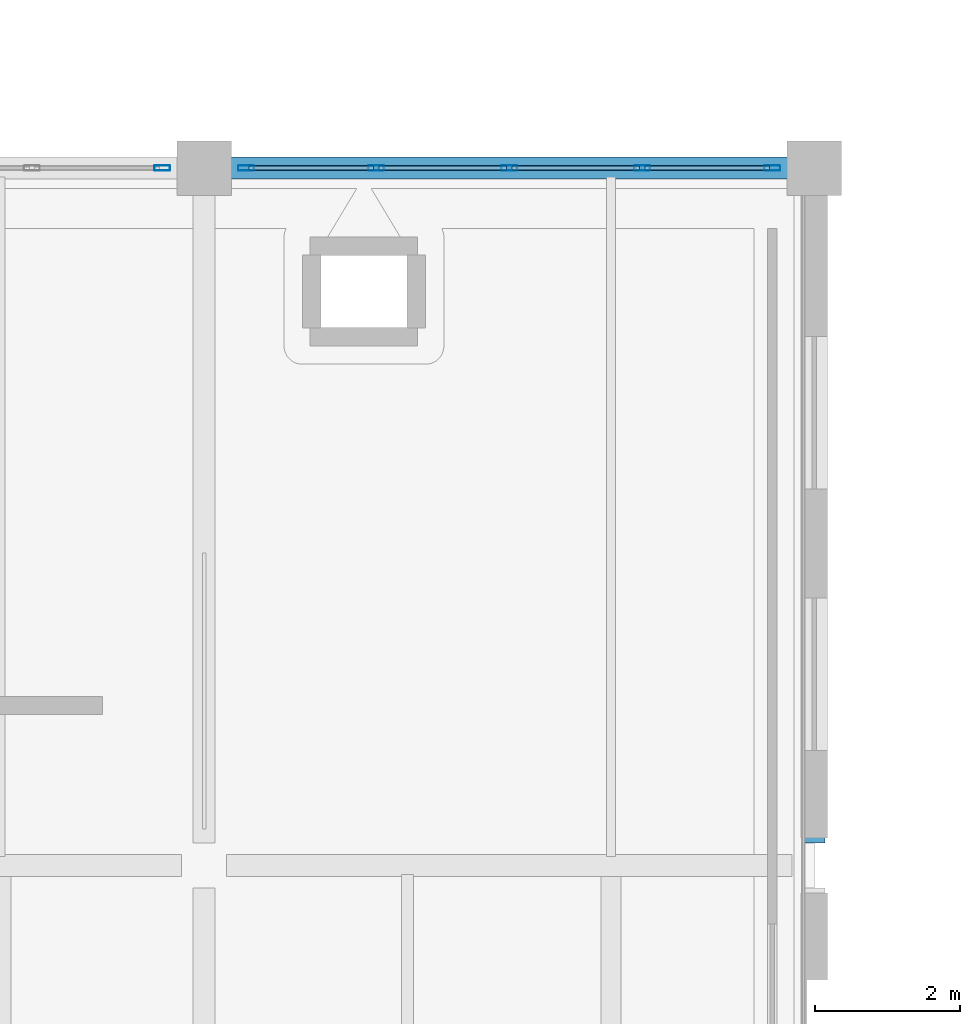
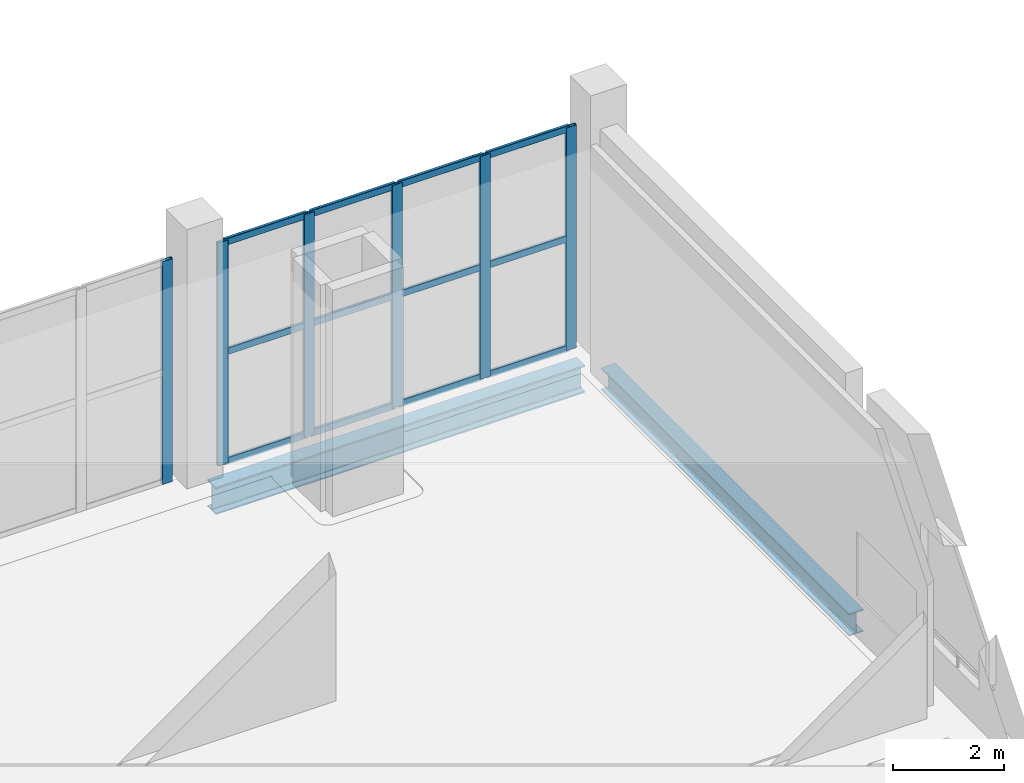
# One storey, part 18 of 49: 18 members, 2 beams, 2 elements without a shape of their own.
"""IFC4 building model written with IfcOpenShell, lengths in metres."""

import ifcopenshell
import ifcopenshell.guid

model = None  # the IFC model being written
_history = None  # IfcOwnerHistory: only IFC2X3 demands one
_inside = {}  # id of a spatial element -> (the spatial element, [elements in it])
_under = {}  # id of a project, library or spatial element -> (it, [spatial elements below it])
_declared = {}  # id of a project -> (the project, [libraries it declares])
_typed = {}  # id of a type object -> (the type object, [elements of that type])
_made_of = {}  # id of a material, layer set ... -> (it, [elements and type objects made of it])


def new_model(schema):
    """Start an empty IFC model of exactly this schema.

    Asked for "IFC4X3", IfcOpenShell would pick the latest addendum, in which some entities
    have other attributes; the version numbers below select the first issue.
    IFC2X3 requires an IfcOwnerHistory on every rooted entity: one is made here for all.
    """
    global model, _history
    if schema == "IFC4X3":
        model = ifcopenshell.file(schema_version=(4, 3, 0, 0))
    else:
        model = ifcopenshell.file(schema=schema)
    _inside.clear()
    _under.clear()
    _declared.clear()
    _typed.clear()
    _made_of.clear()
    _history = None
    if model.schema == "IFC2X3":
        org = make("IfcOrganization", Name="unknown")
        user = make(
            "IfcPersonAndOrganization",
            ThePerson=make("IfcPerson", FamilyName="unknown"),
            TheOrganization=org,
        )
        app = make(
            "IfcApplication",
            ApplicationDeveloper=org,
            Version="unknown",
            ApplicationFullName="unknown",
            ApplicationIdentifier="unknown",
        )
        _history = make(
            "IfcOwnerHistory",
            OwningUser=user,
            OwningApplication=app,
            ChangeAction="ADDED",
            CreationDate=0,
        )
    return model


def make(cls, **values):
    """One entity of the class cls with the attributes given. An attribute that is None is left unset."""
    return model.create_entity(
        cls, **{name: value for name, value in values.items() if value is not None}
    )


def rooted(cls, **values):
    """An entity with a GlobalId (a new one), such as an element, a storey or a relation."""
    return make(cls, GlobalId=ifcopenshell.guid.new(), OwnerHistory=_history, **values)


def si_unit(unit_type, name, prefix=None):
    """IfcSIUnit, for example si_unit("LENGTHUNIT", "METRE", prefix="MILLI")."""
    return make("IfcSIUnit", UnitType=unit_type, Prefix=prefix, Name=name)


def assignment(units):
    """IfcUnitAssignment: the units of a project."""
    return None if units is None else make("IfcUnitAssignment", Units=units)


def point(xyz):
    """IfcCartesianPoint."""
    return None if xyz is None else make("IfcCartesianPoint", Coordinates=xyz)


def direction(xyz):
    """IfcDirection."""
    return None if xyz is None else make("IfcDirection", DirectionRatios=xyz)


def frame(location, z_axis=None, x_axis=None):
    """IfcAxis2Placement3D, a coordinate frame: its origin and axes. An axis left out is left unset."""
    return make(
        "IfcAxis2Placement3D",
        Location=point(location),
        Axis=direction(z_axis),
        RefDirection=direction(x_axis),
    )


def frame_2d(location, x_axis=None):
    """IfcAxis2Placement2D, a coordinate frame in the plane: its origin and x axis."""
    return make(
        "IfcAxis2Placement2D", Location=point(location), RefDirection=direction(x_axis)
    )


def origin():
    """The frame at (0, 0, 0) with its axes left unset."""
    return frame((0.0, 0.0, 0.0))


def origin_2d():
    """The frame at (0, 0) in the plane with its x axis left unset."""
    return frame_2d((0.0, 0.0))


def place(relative_to, where):
    """IfcLocalPlacement: puts the frame where relative to a parent placement (None: the world)."""
    return make(
        "IfcLocalPlacement", PlacementRelTo=relative_to, RelativePlacement=where
    )


def context(
    kind, dimensions, precision=None, world=None, true_north=None, identifier=None
):
    """IfcGeometricRepresentationContext, for example the 3D "Model" context."""
    return make(
        "IfcGeometricRepresentationContext",
        ContextIdentifier=identifier,
        ContextType=kind,
        CoordinateSpaceDimension=dimensions,
        Precision=precision,
        WorldCoordinateSystem=world,
        TrueNorth=true_north,
    )


def subcontext(parent, identifier, kind, view, scale=None):
    """IfcGeometricRepresentationSubContext, for example "Body" below "Model"."""
    return make(
        "IfcGeometricRepresentationSubContext",
        ContextIdentifier=identifier,
        ContextType=kind,
        ParentContext=parent,
        TargetScale=scale,
        TargetView=view,
    )


def project(units=None, contexts=None):
    """IfcProject with its units and contexts."""
    return rooted(
        "IfcProject",
        Name="project",
        RepresentationContexts=contexts,
        UnitsInContext=assignment(units),
    )


def spatial(cls, under=None, at=None, **own):
    """A site, building, storey or space (cls), placed at a placement, below another one or the project."""
    s = rooted(cls, ObjectPlacement=at, **own)
    if under is not None:
        _under.setdefault(under.id(), (under, []))[1].append(s)
    return s


def profile(cls, at=None, kind="AREA", **sizes):
    """A parametric profile (cls). Its sizes go by their IFC names, for example OverallWidth=200.0."""
    return make(cls, ProfileType=kind, Position=at, **sizes)


def hollow_rectangle(**sizes):
    """IfcRectangleHollowProfileDef."""
    return profile("IfcRectangleHollowProfileDef", **sizes)


def i_section(**sizes):
    """IfcIShapeProfileDef."""
    return profile("IfcIShapeProfileDef", **sizes)


def extrude(swept, where, along, depth):
    """IfcExtrudedAreaSolid: the profile swept, set in the frame where, extruded along a direction by depth."""
    return make(
        "IfcExtrudedAreaSolid",
        SweptArea=swept,
        Position=where,
        ExtrudedDirection=direction(along),
        Depth=depth,
    )


def shape(context_of_items, identifier, shape_type, items):
    """IfcShapeRepresentation: the items that make up one representation, for example the "Body"."""
    return make(
        "IfcShapeRepresentation",
        ContextOfItems=context_of_items,
        RepresentationIdentifier=identifier,
        RepresentationType=shape_type,
        Items=items,
    )


def material(Name=None, Category=None):
    """IfcMaterial."""
    return make("IfcMaterial", Name=Name, Category=Category)


def layer(
    of_material, thickness, ventilated=None, Name=None, Category=None, Priority=None
):
    """IfcMaterialLayer: one layer of a wall or slab, of a material (None: an air gap)."""
    return make(
        "IfcMaterialLayer",
        Material=of_material,
        LayerThickness=thickness,
        IsVentilated=ventilated,
        Name=Name,
        Category=Category,
        Priority=Priority,
    )


def layer_set(layers, Name=None):
    """IfcMaterialLayerSet."""
    return make("IfcMaterialLayerSet", MaterialLayers=layers, LayerSetName=Name)


def material_profile(
    of_material, cross_section, Name=None, Category=None, Priority=None
):
    """IfcMaterialProfile: a cross section and its material."""
    return make(
        "IfcMaterialProfile",
        Name=Name,
        Material=of_material,
        Profile=cross_section,
        Priority=Priority,
        Category=Category,
    )


def profile_set(profiles, Name=None, composite=None):
    """IfcMaterialProfileSet."""
    return make(
        "IfcMaterialProfileSet",
        Name=Name,
        MaterialProfiles=profiles,
        CompositeProfile=composite,
    )


def made_of(thing, what):
    """Note that an element or type object is made of a material, layer set ...; save() writes the relation."""
    if what is not None:
        _made_of.setdefault(what.id(), (what, []))[1].append(thing)
    return thing


def type_object(cls, material=None, **own):
    """A type object (cls), such as IfcWallType, which elements share."""
    return made_of(rooted(cls, **own), material)


def element(
    cls,
    number,
    at=None,
    inside=None,
    cuts=None,
    type_object=None,
    material=None,
    context=None,
    identifier="Body",
    shape_type=None,
    held_by="IfcProductDefinitionShape",
    body=None,
    shapes=None,
    **own,
):
    """One element of the class cls, such as IfcWall. Its Tag is "e" and its number.

    at: its placement. inside: the storey or other place that contains it. cuts: it is an
    opening in that element (IfcRelVoidsElement). A single representation is given by context,
    identifier, shape_type and body (its items); several are given by shapes. held_by: the class
    of the entity that holds the representations. save() writes the other relations.
    """
    e = rooted(cls, Tag="e%d" % number, ObjectPlacement=at, **own)
    if body is not None:
        shapes = [shape(context, identifier, shape_type, body)]
    if shapes is not None:
        e.Representation = make(held_by, Representations=shapes)
    if inside is not None:
        _inside.setdefault(inside.id(), (inside, []))[1].append(e)
    if cuts is not None:
        rooted(
            "IfcRelVoidsElement", RelatingBuildingElement=cuts, RelatedOpeningElement=e
        )
    if type_object is not None:
        _typed.setdefault(type_object.id(), (type_object, []))[1].append(e)
    return made_of(e, material)


def aggregate(whole, parts):
    """IfcRelAggregates: a whole, such as a stair, and the parts it consists of."""
    return rooted("IfcRelAggregates", RelatingObject=whole, RelatedObjects=parts)


def save(model, path):
    """Write the relations noted so far, then the file.

    IfcRelAggregates (storeys below a building ...), IfcRelContainedInSpatialStructure (elements
    in a storey), IfcRelDefinesByType, IfcRelAssociatesMaterial and IfcRelDeclares: one each for
    every whole, place, type object, material and project.
    """
    for whole, parts in _under.values():
        aggregate(whole, parts)
    for where, things in _inside.values():
        rooted(
            "IfcRelContainedInSpatialStructure",
            RelatedElements=things,
            RelatingStructure=where,
        )
    for kind, things in _typed.values():
        rooted("IfcRelDefinesByType", RelatedObjects=things, RelatingType=kind)
    for what, things in _made_of.values():
        rooted("IfcRelAssociatesMaterial", RelatedObjects=things, RelatingMaterial=what)
    for by, libraries in _declared.values():
        rooted("IfcRelDeclares", RelatingContext=by, RelatedDefinitions=libraries)
    model.write(path)


model = new_model("IFC4")

# Units and contexts
model_context = context("Model", 3, precision=1e-05, world=origin(), true_north=direction((0.0, 1.0)))
body_context = subcontext(model_context, "Body", "Model", "MODEL_VIEW")
ifc_project = project(units=[si_unit("LENGTHUNIT", "METRE"), si_unit("AREAUNIT", "SQUARE_METRE"), si_unit("VOLUMEUNIT", "CUBIC_METRE"), si_unit("PLANEANGLEUNIT", "RADIAN"), si_unit("MASSUNIT", "GRAM", prefix="KILO")], contexts=[model_context])

# Site, building, storey
site_placement = place(None, origin())
site = spatial("IfcSite", under=ifc_project, at=site_placement, CompositionType="ELEMENT")
building_placement = place(site_placement, origin())
building = spatial("IfcBuilding", under=site, at=building_placement, Name="Zulmaris Art Gallery", CompositionType="ELEMENT")
storey_placement = place(building_placement, frame((0.0, 0.0, 20.699951171875)))
storey = spatial("IfcBuildingStorey", under=building, at=storey_placement, Name="L04", CompositionType="ELEMENT", Elevation=20.699951171875)

# Beams
ifc_material_1 = material(Name="Steel S355J2", Category="steel")
ifc_material_profile_1 = material_profile(ifc_material_1, i_section(OverallWidth=0.300048828125, OverallDepth=0.489990234375, WebThickness=0.011962890625, FlangeThickness=0.02294921875, FilletRadius=0.027099609375, at=origin_2d()), Name="HEA 500")
ifc_profile_set_1 = profile_set([ifc_material_profile_1], Name="Steel S355J2")
beam_type_1 = type_object("IfcBeamType", Name="BEAM-BM11", PredefinedType="BEAM", material=ifc_profile_set_1)
beam_1_placement = place(storey_placement, frame((82.800048828125, 41.110107421875, -0.60498046875), z_axis=(0.0, 1.0, 0.0), x_axis=(-1.0, 0.0, 0.0)))
element("IfcBeam", 1, at=beam_1_placement, inside=storey, type_object=beam_type_1, Name="L04 Y-girder (x=82.8, 40.8..50.4)", PredefinedType="BEAM", context=body_context, shape_type="SweptSolid", body=[
    extrude(i_section(OverallWidth=0.300048828125, OverallDepth=0.489990234375, WebThickness=0.011962890625, FlangeThickness=0.02294921875, FilletRadius=0.027099609375, at=origin_2d()), origin(), (0.0, 0.0, 1.0), 8.929931640625),
])
ifc_material_profile_2 = material_profile(ifc_material_1, i_section(OverallWidth=0.300048828125, OverallDepth=0.60009765625, WebThickness=0.015380859375, FlangeThickness=0.030029296875, FilletRadius=0.027099609375, at=origin_2d()), Name="HEB 600")
ifc_profile_set_2 = profile_set([ifc_material_profile_2], Name="Steel S355J2")
beam_type_2 = type_object("IfcBeamType", Name="BEAM-BM15", PredefinedType="BEAM", material=ifc_profile_set_2)
beam_2_placement = place(storey_placement, frame((74.760009765625, 50.39990234375, -0.659912109375), z_axis=(1.0, 0.0, 0.0), x_axis=(0.0, 1.0, 0.0)))
element("IfcBeam", 2, at=beam_2_placement, inside=storey, type_object=beam_type_2, Name="L04 X-girder (74.4..82.8, y=50.4)", PredefinedType="BEAM", context=body_context, shape_type="SweptSolid", body=[
    extrude(i_section(OverallWidth=0.300048828125, OverallDepth=0.60009765625, WebThickness=0.015380859375, FlangeThickness=0.030029296875, FilletRadius=0.027099609375, at=origin_2d()), origin(), (0.0, 0.0, 1.0), 7.679931640625),
])

# Curtain wall, member
ifc_material_2 = material(Name="Unitised Low-E Gallery Curtain Wall", Category="aluminium")
ifc_layer = layer(ifc_material_2, 0.179931640625)
ifc_layer_set = layer_set([ifc_layer], Name="Unitised Low-E Gallery Curtain Wall")
curtain_wall_type = type_object("IfcCurtainWallType", Name="CW-CW01", PredefinedType="NOTDEFINED", material=ifc_layer_set)
curtain_wall_1_placement = place(storey_placement, origin())
curtain_wall_1 = element("IfcCurtainWall", 3, at=curtain_wall_1_placement, inside=storey, type_object=curtain_wall_type, Name="L04 curtain wall 32", PredefinedType="NOTDEFINED")
ifc_material_3 = material(Name="Anodised Bronze Aluminium", Category="aluminium")
ifc_material_profile_3 = material_profile(ifc_material_3, hollow_rectangle(XDim=0.074951171875, YDim=0.219970703125, WallThickness=0.0048828125, InnerFilletRadius=0.007568359375, OuterFilletRadius=0.012451171875, at=origin_2d()), Name="ALU 75x220x5")
ifc_profile_set_3 = profile_set([ifc_material_profile_3], Name="Anodised Bronze Aluminium")
member_type_1 = type_object("IfcMemberType", Name="CWMUL-02", PredefinedType="MULLION", material=ifc_profile_set_3)
member_1_placement = place(storey_placement, frame((73.822509765625, 50.39990234375, 0.0), z_axis=(0.0, 0.0, 1.0), x_axis=(0.0, -1.0, 0.0)))
member_1 = element("IfcMember", 4, at=member_1_placement, type_object=member_type_1, Name="CW01 mullion 1", PredefinedType="MULLION", context=body_context, shape_type="SweptSolid", body=[
    extrude(hollow_rectangle(XDim=0.074951171875, YDim=0.219970703125, WallThickness=0.0048828125, InnerFilletRadius=0.007568359375, OuterFilletRadius=0.012451171875, at=origin_2d()), origin(), (0.0, 0.0, 1.0), 4.900146484375),
])
aggregate(curtain_wall_1, [member_1])

# Curtain wall, members
curtain_wall_2_placement = place(storey_placement, origin())
curtain_wall_2 = element("IfcCurtainWall", 5, at=curtain_wall_2_placement, inside=storey, type_object=curtain_wall_type, Name="L04 curtain wall 34", PredefinedType="NOTDEFINED")
member_2_placement = place(storey_placement, frame((82.222412109375, 50.39990234375, 0.0), z_axis=(0.0, 0.0, 1.0), x_axis=(0.0, -1.0, 0.0)))
member_2 = element("IfcMember", 6, at=member_2_placement, type_object=member_type_1, Name="CW01 mullion 1", PredefinedType="MULLION", context=body_context, shape_type="SweptSolid", body=[
    extrude(hollow_rectangle(XDim=0.074951171875, YDim=0.219970703125, WallThickness=0.0048828125, InnerFilletRadius=0.007568359375, OuterFilletRadius=0.012451171875, at=origin_2d()), origin(), (0.0, 0.0, 1.0), 4.900146484375),
])
member_3_placement = place(storey_placement, frame((80.429931640625, 50.39990234375, 0.0), z_axis=(0.0, 0.0, 1.0), x_axis=(0.0, -1.0, 0.0)))
member_3 = element("IfcMember", 7, at=member_3_placement, type_object=member_type_1, Name="CW01 mullion 2", PredefinedType="MULLION", context=body_context, shape_type="SweptSolid", body=[
    extrude(hollow_rectangle(XDim=0.074951171875, YDim=0.219970703125, WallThickness=0.0048828125, InnerFilletRadius=0.007568359375, OuterFilletRadius=0.012451171875, at=origin_2d()), origin(), (0.0, 0.0, 1.0), 4.900146484375),
])
member_4_placement = place(storey_placement, frame((78.60009765625, 50.39990234375, 0.0), z_axis=(0.0, 0.0, 1.0), x_axis=(0.0, -1.0, 0.0)))
member_4 = element("IfcMember", 8, at=member_4_placement, type_object=member_type_1, Name="CW01 mullion 3", PredefinedType="MULLION", context=body_context, shape_type="SweptSolid", body=[
    extrude(hollow_rectangle(XDim=0.074951171875, YDim=0.219970703125, WallThickness=0.0048828125, InnerFilletRadius=0.007568359375, OuterFilletRadius=0.012451171875, at=origin_2d()), origin(), (0.0, 0.0, 1.0), 4.900146484375),
])
member_5_placement = place(storey_placement, frame((76.77001953125, 50.39990234375, 0.0), z_axis=(0.0, 0.0, 1.0), x_axis=(0.0, -1.0, 0.0)))
member_5 = element("IfcMember", 9, at=member_5_placement, type_object=member_type_1, Name="CW01 mullion 4", PredefinedType="MULLION", context=body_context, shape_type="SweptSolid", body=[
    extrude(hollow_rectangle(XDim=0.074951171875, YDim=0.219970703125, WallThickness=0.0048828125, InnerFilletRadius=0.007568359375, OuterFilletRadius=0.012451171875, at=origin_2d()), origin(), (0.0, 0.0, 1.0), 4.900146484375),
])
member_6_placement = place(storey_placement, frame((74.9775390625, 50.39990234375, 0.0), z_axis=(0.0, 0.0, 1.0), x_axis=(0.0, -1.0, 0.0)))
member_6 = element("IfcMember", 10, at=member_6_placement, type_object=member_type_1, Name="CW01 mullion 5", PredefinedType="MULLION", context=body_context, shape_type="SweptSolid", body=[
    extrude(hollow_rectangle(XDim=0.074951171875, YDim=0.219970703125, WallThickness=0.0048828125, InnerFilletRadius=0.007568359375, OuterFilletRadius=0.012451171875, at=origin_2d()), origin(), (0.0, 0.0, 1.0), 4.900146484375),
])
ifc_material_profile_4 = material_profile(ifc_material_3, hollow_rectangle(XDim=0.06494140625, YDim=0.14990234375, WallThickness=0.00390625, InnerFilletRadius=0.006103515625, OuterFilletRadius=0.010009765625, at=origin_2d()), Name="ALU 65x150x4")
ifc_profile_set_4 = profile_set([ifc_material_profile_4], Name="Anodised Bronze Aluminium")
member_type_2 = type_object("IfcMemberType", Name="CWTRN-01", PredefinedType="USERDEFINED", material=ifc_profile_set_4)
member_7_placement = place(storey_placement, frame((82.18505859375, 50.39990234375, 0.03759765625), z_axis=(-1.0, 0.0, 0.0), x_axis=(0.0, -1.0, 0.0)))
member_7 = element("IfcMember", 11, at=member_7_placement, type_object=member_type_2, Name="CW01 transom 1.1", ObjectType="TRANSOM", PredefinedType="USERDEFINED", context=body_context, shape_type="SweptSolid", body=[
    extrude(hollow_rectangle(XDim=0.06494140625, YDim=0.14990234375, WallThickness=0.00390625, InnerFilletRadius=0.006103515625, OuterFilletRadius=0.010009765625, at=origin_2d()), origin(), (0.0, 0.0, 1.0), 1.717529296875),
])
member_8_placement = place(storey_placement, frame((82.18505859375, 50.39990234375, 2.449951171875), z_axis=(-1.0, 0.0, 0.0), x_axis=(0.0, -1.0, 0.0)))
member_8 = element("IfcMember", 12, at=member_8_placement, type_object=member_type_2, Name="CW01 transom 1.2", ObjectType="TRANSOM", PredefinedType="USERDEFINED", context=body_context, shape_type="SweptSolid", body=[
    extrude(hollow_rectangle(XDim=0.06494140625, YDim=0.14990234375, WallThickness=0.00390625, InnerFilletRadius=0.006103515625, OuterFilletRadius=0.010009765625, at=origin_2d()), origin(), (0.0, 0.0, 1.0), 1.717529296875),
])
member_9_placement = place(storey_placement, frame((82.18505859375, 50.39990234375, 4.862548828125), z_axis=(-1.0, 0.0, 0.0), x_axis=(0.0, -1.0, 0.0)))
member_9 = element("IfcMember", 13, at=member_9_placement, type_object=member_type_2, Name="CW01 transom 1.3", ObjectType="TRANSOM", PredefinedType="USERDEFINED", context=body_context, shape_type="SweptSolid", body=[
    extrude(hollow_rectangle(XDim=0.06494140625, YDim=0.14990234375, WallThickness=0.00390625, InnerFilletRadius=0.006103515625, OuterFilletRadius=0.010009765625, at=origin_2d()), origin(), (0.0, 0.0, 1.0), 1.717529296875),
])
member_10_placement = place(storey_placement, frame((80.392578125, 50.39990234375, 0.03759765625), z_axis=(-1.0, 0.0, 0.0), x_axis=(0.0, -1.0, 0.0)))
member_10 = element("IfcMember", 14, at=member_10_placement, type_object=member_type_2, Name="CW01 transom 2.1", ObjectType="TRANSOM", PredefinedType="USERDEFINED", context=body_context, shape_type="SweptSolid", body=[
    extrude(hollow_rectangle(XDim=0.06494140625, YDim=0.14990234375, WallThickness=0.00390625, InnerFilletRadius=0.006103515625, OuterFilletRadius=0.010009765625, at=origin_2d()), origin(), (0.0, 0.0, 1.0), 1.755126953125),
])
member_11_placement = place(storey_placement, frame((80.392578125, 50.39990234375, 2.449951171875), z_axis=(-1.0, 0.0, 0.0), x_axis=(0.0, -1.0, 0.0)))
member_11 = element("IfcMember", 15, at=member_11_placement, type_object=member_type_2, Name="CW01 transom 2.2", ObjectType="TRANSOM", PredefinedType="USERDEFINED", context=body_context, shape_type="SweptSolid", body=[
    extrude(hollow_rectangle(XDim=0.06494140625, YDim=0.14990234375, WallThickness=0.00390625, InnerFilletRadius=0.006103515625, OuterFilletRadius=0.010009765625, at=origin_2d()), origin(), (0.0, 0.0, 1.0), 1.755126953125),
])
member_12_placement = place(storey_placement, frame((80.392578125, 50.39990234375, 4.862548828125), z_axis=(-1.0, 0.0, 0.0), x_axis=(0.0, -1.0, 0.0)))
member_12 = element("IfcMember", 16, at=member_12_placement, type_object=member_type_2, Name="CW01 transom 2.3", ObjectType="TRANSOM", PredefinedType="USERDEFINED", context=body_context, shape_type="SweptSolid", body=[
    extrude(hollow_rectangle(XDim=0.06494140625, YDim=0.14990234375, WallThickness=0.00390625, InnerFilletRadius=0.006103515625, OuterFilletRadius=0.010009765625, at=origin_2d()), origin(), (0.0, 0.0, 1.0), 1.755126953125),
])
member_13_placement = place(storey_placement, frame((78.5625, 50.39990234375, 0.03759765625), z_axis=(-1.0, 0.0, 0.0), x_axis=(0.0, -1.0, 0.0)))
member_13 = element("IfcMember", 17, at=member_13_placement, type_object=member_type_2, Name="CW01 transom 3.1", ObjectType="TRANSOM", PredefinedType="USERDEFINED", context=body_context, shape_type="SweptSolid", body=[
    extrude(hollow_rectangle(XDim=0.06494140625, YDim=0.14990234375, WallThickness=0.00390625, InnerFilletRadius=0.006103515625, OuterFilletRadius=0.010009765625, at=origin_2d()), origin(), (0.0, 0.0, 1.0), 1.7548828125),
])
member_14_placement = place(storey_placement, frame((78.5625, 50.39990234375, 2.449951171875), z_axis=(-1.0, 0.0, 0.0), x_axis=(0.0, -1.0, 0.0)))
member_14 = element("IfcMember", 18, at=member_14_placement, type_object=member_type_2, Name="CW01 transom 3.2", ObjectType="TRANSOM", PredefinedType="USERDEFINED", context=body_context, shape_type="SweptSolid", body=[
    extrude(hollow_rectangle(XDim=0.06494140625, YDim=0.14990234375, WallThickness=0.00390625, InnerFilletRadius=0.006103515625, OuterFilletRadius=0.010009765625, at=origin_2d()), origin(), (0.0, 0.0, 1.0), 1.7548828125),
])
member_15_placement = place(storey_placement, frame((78.5625, 50.39990234375, 4.862548828125), z_axis=(-1.0, 0.0, 0.0), x_axis=(0.0, -1.0, 0.0)))
member_15 = element("IfcMember", 19, at=member_15_placement, type_object=member_type_2, Name="CW01 transom 3.3", ObjectType="TRANSOM", PredefinedType="USERDEFINED", context=body_context, shape_type="SweptSolid", body=[
    extrude(hollow_rectangle(XDim=0.06494140625, YDim=0.14990234375, WallThickness=0.00390625, InnerFilletRadius=0.006103515625, OuterFilletRadius=0.010009765625, at=origin_2d()), origin(), (0.0, 0.0, 1.0), 1.7548828125),
])
member_16_placement = place(storey_placement, frame((76.732421875, 50.39990234375, 0.03759765625), z_axis=(-1.0, 0.0, 0.0), x_axis=(0.0, -1.0, 0.0)))
member_16 = element("IfcMember", 20, at=member_16_placement, type_object=member_type_2, Name="CW01 transom 4.1", ObjectType="TRANSOM", PredefinedType="USERDEFINED", context=body_context, shape_type="SweptSolid", body=[
    extrude(hollow_rectangle(XDim=0.06494140625, YDim=0.14990234375, WallThickness=0.00390625, InnerFilletRadius=0.006103515625, OuterFilletRadius=0.010009765625, at=origin_2d()), origin(), (0.0, 0.0, 1.0), 1.717529296875),
])
member_17_placement = place(storey_placement, frame((76.732421875, 50.39990234375, 2.449951171875), z_axis=(-1.0, 0.0, 0.0), x_axis=(0.0, -1.0, 0.0)))
member_17 = element("IfcMember", 21, at=member_17_placement, type_object=member_type_2, Name="CW01 transom 4.2", ObjectType="TRANSOM", PredefinedType="USERDEFINED", context=body_context, shape_type="SweptSolid", body=[
    extrude(hollow_rectangle(XDim=0.06494140625, YDim=0.14990234375, WallThickness=0.00390625, InnerFilletRadius=0.006103515625, OuterFilletRadius=0.010009765625, at=origin_2d()), origin(), (0.0, 0.0, 1.0), 1.717529296875),
])
member_18_placement = place(storey_placement, frame((76.732421875, 50.39990234375, 4.862548828125), z_axis=(-1.0, 0.0, 0.0), x_axis=(0.0, -1.0, 0.0)))
member_18 = element("IfcMember", 22, at=member_18_placement, type_object=member_type_2, Name="CW01 transom 4.3", ObjectType="TRANSOM", PredefinedType="USERDEFINED", context=body_context, shape_type="SweptSolid", body=[
    extrude(hollow_rectangle(XDim=0.06494140625, YDim=0.14990234375, WallThickness=0.00390625, InnerFilletRadius=0.006103515625, OuterFilletRadius=0.010009765625, at=origin_2d()), origin(), (0.0, 0.0, 1.0), 1.717529296875),
])
aggregate(curtain_wall_2, [member_2, member_3, member_4, member_5, member_6, member_7, member_8, member_9, member_10, member_11, member_12, member_13, member_14, member_15, member_16, member_17, member_18])

save(model, "model.ifc")
